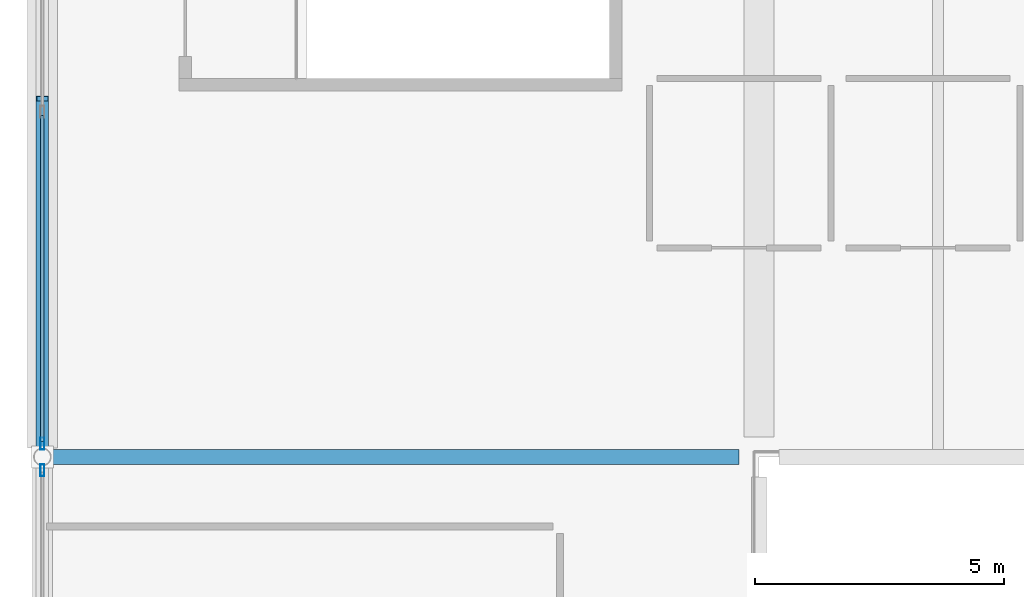
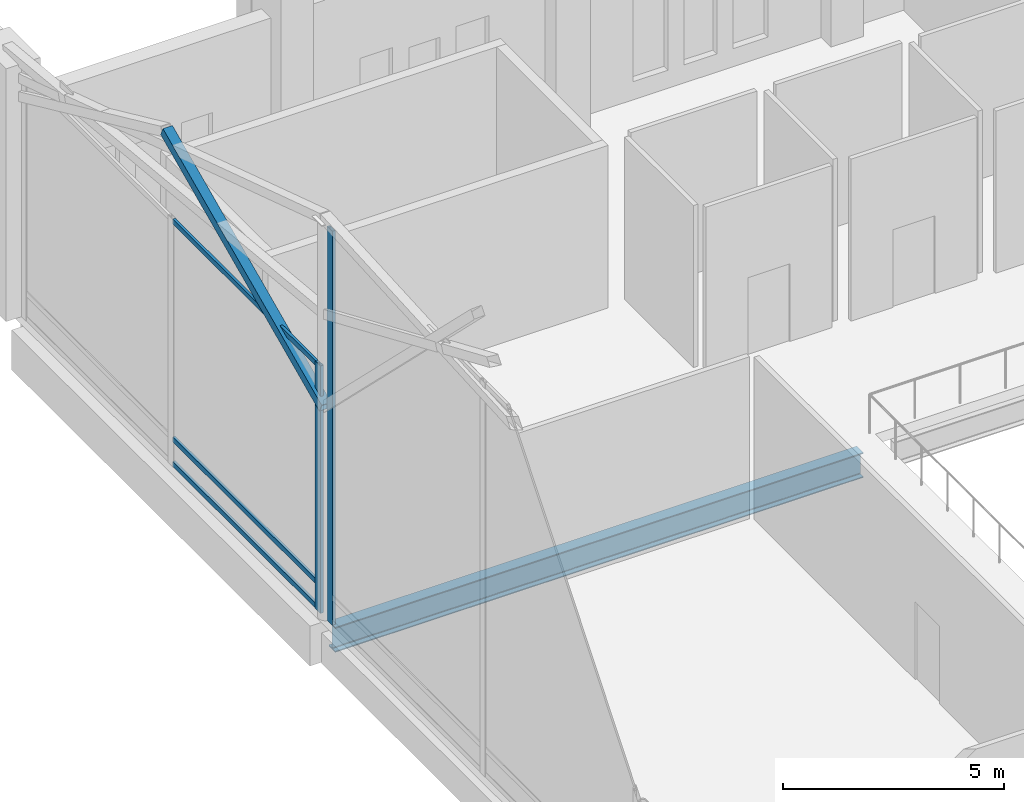
# One storey, part 63 of 220: 6 members, 1 beam, 2 elements without a shape of their own.
"""IFC4 building model written with IfcOpenShell, lengths in metres."""

from ifc_helpers import new_model, si_unit, direction, frame, origin, origin_2d, place, context, subcontext, project, spatial, hollow_rectangle, i_section, extrude, material, material_profile, profile_set, type_object, element, aggregate, save


model = new_model("IFC4")

# Units and contexts
model_context = context("Model", 3, precision=1e-05, world=origin(), true_north=direction((0.0, 1.0)))
body_context = subcontext(model_context, "Body", "Model", "MODEL_VIEW")
ifc_project = project(units=[si_unit("LENGTHUNIT", "METRE"), si_unit("AREAUNIT", "SQUARE_METRE"), si_unit("VOLUMEUNIT", "CUBIC_METRE"), si_unit("PLANEANGLEUNIT", "RADIAN"), si_unit("MASSUNIT", "GRAM", prefix="KILO")], contexts=[model_context])

# Site, building, storey
site_placement = place(None, origin())
site = spatial("IfcSite", under=ifc_project, at=site_placement, CompositionType="ELEMENT")
building_placement = place(site_placement, origin())
building = spatial("IfcBuilding", under=site, at=building_placement, Name="Cendralis Lancet Convention Centre", CompositionType="ELEMENT")
storey_placement = place(building_placement, frame((0.0, 0.0, 5.39990234375)))
storey = spatial("IfcBuildingStorey", under=building, at=storey_placement, Name="L01", CompositionType="ELEMENT", Elevation=5.39990234375)

# Curtain wall, member
ifc_material_1 = material(Name="Anodised bronze architectural aluminium", Category="aluminium")
curtain_wall_type = type_object("IfcCurtainWallType", Name="ARC-CW-GB02", PredefinedType="USERDEFINED", material=ifc_material_1)
curtain_wall_1_placement = place(storey_placement, origin())
curtain_wall_1 = element("IfcCurtainWall", 1, at=curtain_wall_1_placement, inside=storey, type_object=curtain_wall_type, Name="L01 Curtain Wall CW-GB2 #103", ObjectType="CURTAIN WALL", PredefinedType="USERDEFINED")
ifc_material_profile_1 = material_profile(ifc_material_1, hollow_rectangle(XDim=0.080078125, YDim=0.239990234375, WallThickness=0.0048828125, at=origin_2d()), Name="AL-MULL 80x240x5.0")
ifc_profile_set_1 = profile_set([ifc_material_profile_1], Name="Anodised bronze architectural aluminium")
member_type_1 = type_object("IfcMemberType", Name="ARC-CW-ML03", PredefinedType="MULLION", material=ifc_profile_set_1)
member_1_placement = place(storey_placement, frame((0.0, 122.132080078125, 0.0), z_axis=(0.0, 0.0, 1.0), x_axis=(1.0, 0.0, 0.0)))
member_1 = element("IfcMember", 2, at=member_1_placement, type_object=member_type_1, Name="Mullion CW2-CW-GB2-L01-103-M2", PredefinedType="MULLION", context=body_context, shape_type="SweptSolid", body=[
    extrude(hollow_rectangle(XDim=0.080078125, YDim=0.239990234375, WallThickness=0.0048828125, at=origin_2d()), origin(), (0.0, 0.0, 1.0), 10.901123046875),
])
aggregate(curtain_wall_1, [member_1])

# Curtain wall, members
curtain_wall_2_placement = place(storey_placement, origin())
curtain_wall_2 = element("IfcCurtainWall", 3, at=curtain_wall_2_placement, inside=storey, type_object=curtain_wall_type, Name="L01 Curtain Wall CW-GB2 #104", ObjectType="CURTAIN WALL", PredefinedType="USERDEFINED")
member_2_placement = place(storey_placement, frame((0.0, 122.667724609375, 0.0), z_axis=(0.0, 0.0, 1.0), x_axis=(1.0, 0.0, 0.0)))
member_2 = element("IfcMember", 4, at=member_2_placement, type_object=member_type_1, Name="Mullion CW2-CW-GB2-L01-104-M0", PredefinedType="MULLION", context=body_context, shape_type="SweptSolid", body=[
    extrude(hollow_rectangle(XDim=0.080078125, YDim=0.239990234375, WallThickness=0.0048828125, at=origin_2d()), origin(), (0.0, 0.0, 1.0), 6.85009765625),
])
ifc_material_profile_2 = material_profile(ifc_material_1, hollow_rectangle(XDim=0.070068359375, YDim=0.139892578125, WallThickness=0.00390625, at=origin_2d()), Name="AL-TRAN 70x140x4.0")
ifc_profile_set_2 = profile_set([ifc_material_profile_2], Name="Anodised bronze architectural aluminium")
member_type_2 = type_object("IfcMemberType", Name="ARC-CW-TR02", PredefinedType="USERDEFINED", material=ifc_profile_set_2)
member_3_placement = place(storey_placement, frame((0.0, 122.707763671875, 0.070068359375), z_axis=(0.0, 1.0, 0.0), x_axis=(-1.0, 0.0, 0.0)))
member_3 = element("IfcMember", 5, at=member_3_placement, type_object=member_type_2, Name="Transom CW2-CW-GB2-L01-104-T0BOT", ObjectType="TRANSOM", PredefinedType="USERDEFINED", context=body_context, shape_type="SweptSolid", body=[
    extrude(hollow_rectangle(XDim=0.070068359375, YDim=0.139892578125, WallThickness=0.00390625, at=origin_2d()), origin(), (0.0, 0.0, 1.0), 6.551025390625),
])
member_4_placement = place(storey_placement, frame((0.0, 122.707763671875, 0.75), z_axis=(0.0, 1.0, 0.0), x_axis=(-1.0, 0.0, 0.0)))
member_4 = element("IfcMember", 6, at=member_4_placement, type_object=member_type_2, Name="Transom CW2-CW-GB2-L01-104-T0MID", ObjectType="TRANSOM", PredefinedType="USERDEFINED", context=body_context, shape_type="SweptSolid", body=[
    extrude(hollow_rectangle(XDim=0.070068359375, YDim=0.139892578125, WallThickness=0.00390625, at=origin_2d()), origin(), (0.0, 0.0, 1.0), 6.551025390625),
])
member_5_placement = place(storey_placement, frame((0.0, 122.707763671875, 6.780029296875), z_axis=(0.0, 1.0, 0.0), x_axis=(-1.0, 0.0, 0.0)))
member_5 = element("IfcMember", 7, at=member_5_placement, type_object=member_type_2, Name="Transom CW2-CW-GB2-L01-104-T0TOP", ObjectType="TRANSOM", PredefinedType="USERDEFINED", context=body_context, shape_type="SweptSolid", body=[
    extrude(hollow_rectangle(XDim=0.070068359375, YDim=0.139892578125, WallThickness=0.00390625, at=origin_2d()), origin(), (0.0, 0.0, 1.0), 6.551025390625),
])
aggregate(curtain_wall_2, [member_2, member_3, member_4, member_5])

# Beam
ifc_material_2 = material(Name="Steel S355", Category="steel")
ifc_material_profile_3 = material_profile(ifc_material_2, i_section(OverallWidth=0.300048828125, OverallDepth=0.68994140625, WebThickness=0.014404296875, FlangeThickness=0.027099609375, FilletRadius=0.027099609375, at=origin_2d()), Name="HEA 700")
ifc_profile_set_3 = profile_set([ifc_material_profile_3], Name="Steel S355")
beam_type = type_object("IfcBeamType", Name="STR-BM-SG08", PredefinedType="BEAM", material=ifc_profile_set_3)
beam_placement = place(storey_placement, frame((0.177734375, 122.39990234375, -0.625), z_axis=(1.0, 0.0, 0.0), x_axis=(0.0, 1.0, 0.0)))
element("IfcBeam", 8, at=beam_placement, inside=storey, type_object=beam_type, Name="L01 Beam SG08 #1235", PredefinedType="BEAM", context=body_context, shape_type="SweptSolid", body=[
    extrude(i_section(OverallWidth=0.300048828125, OverallDepth=0.68994140625, WebThickness=0.014404296875, FlangeThickness=0.027099609375, FilletRadius=0.027099609375, at=origin_2d()), origin(), (0.0, 0.0, 1.0), 13.822265625),
])

# Member
ifc_material_profile_4 = material_profile(ifc_material_2, hollow_rectangle(XDim=0.25, YDim=0.25, WallThickness=0.012451171875, at=origin_2d()), Name="SHS 250x250x12.5")
ifc_profile_set_4 = profile_set([ifc_material_profile_4], Name="Steel S355")
member_type_3 = type_object("IfcMemberType", Name="STR-BR-GB01", PredefinedType="BRACE", material=ifc_profile_set_4)
member_6_placement = place(storey_placement, frame((0.0, 122.39990234375, 5.800048828125), z_axis=(0.0, 0.909358515773, 0.416013328862), x_axis=(-1.0, 0.0, 0.0)))
element("IfcMember", 9, at=member_6_placement, inside=storey, type_object=member_type_3, Name="Exhibition Gable Gothic Ogival Tracery Rib GBR1 #026", PredefinedType="BRACE", context=body_context, shape_type="SweptSolid", body=[
    extrude(hollow_rectangle(XDim=0.25, YDim=0.25, WallThickness=0.012451171875, at=origin_2d()), origin(), (0.0, 0.0, 1.0), 7.91796875),
])

save(model, "model.ifc")
